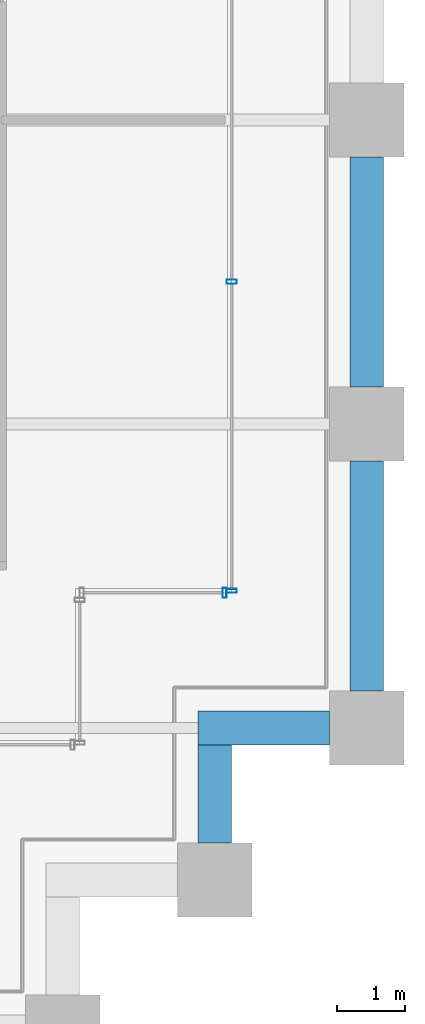
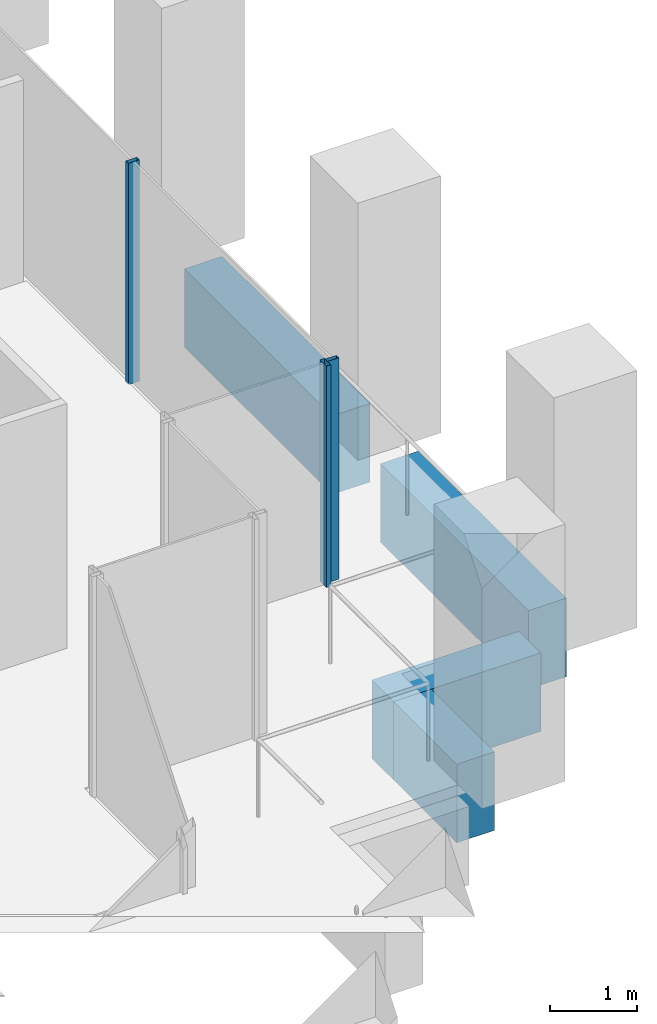
# One storey, part 46 of 56: 4 beams, 3 members, 2 elements without a shape of their own.
"""IFC4 building model written with IfcOpenShell, lengths in metres."""

from ifc_helpers import new_model, si_unit, direction, frame, origin, origin_2d, place, context, subcontext, project, spatial, rectangle, hollow_rectangle, extrude, material, material_profile, profile_set, type_object, element, aggregate, save


model = new_model("IFC4")

# Units and contexts
model_context = context("Model", 3, precision=1e-05, world=origin(), true_north=direction((0.0, 1.0)))
body_context = subcontext(model_context, "Body", "Model", "MODEL_VIEW")
ifc_project = project(units=[si_unit("LENGTHUNIT", "METRE"), si_unit("AREAUNIT", "SQUARE_METRE"), si_unit("VOLUMEUNIT", "CUBIC_METRE"), si_unit("PLANEANGLEUNIT", "RADIAN"), si_unit("MASSUNIT", "GRAM", prefix="KILO")], contexts=[model_context])

# Site, building, storey
site_placement = place(None, origin())
site = spatial("IfcSite", under=ifc_project, at=site_placement, CompositionType="ELEMENT")
building_placement = place(site_placement, origin())
building = spatial("IfcBuilding", under=site, at=building_placement, Name="Altepetl Exchange Towers", CompositionType="ELEMENT")
storey_placement = place(building_placement, frame((0.0, 0.0, 69.0)))
storey = spatial("IfcBuildingStorey", under=building, at=storey_placement, Name="L16", CompositionType="ELEMENT", Elevation=69.0)

# Curtain wall, member
ifc_material_1 = material(Name="Aluminium 6063-T6 glazing", Category="aluminium")
curtain_wall_type = type_object("IfcCurtainWallType", Name="Loggia glazing system", PredefinedType="NOTDEFINED", material=ifc_material_1)
curtain_wall_1_placement = place(storey_placement, origin())
curtain_wall_1 = element("IfcCurtainWall", 1, at=curtain_wall_1_placement, inside=storey, type_object=curtain_wall_type, Name="CW1 run", PredefinedType="NOTDEFINED")
ifc_material_2 = material(Name="Aluminium 6063-T6", Category="aluminium")
ifc_material_profile_1 = material_profile(ifc_material_2, hollow_rectangle(XDim=0.06005859375, YDim=0.14990234375, WallThickness=0.0029296875, at=origin_2d()), Name="Mullion 60x150 aluminium")
ifc_profile_set_1 = profile_set([ifc_material_profile_1], Name="Aluminium 6063-T6")
member_type = type_object("IfcMemberType", Name="Mullion 60x150 aluminium", PredefinedType="MULLION", material=ifc_profile_set_1)
member_1_placement = place(storey_placement, frame((123.89501953125, 33.5, 0.0)))
member_1 = element("IfcMember", 2, at=member_1_placement, type_object=member_type, Name="MU1 mullion", PredefinedType="MULLION", context=body_context, shape_type="SweptSolid", body=[
    extrude(hollow_rectangle(XDim=0.06005859375, YDim=0.14990234375, WallThickness=0.0029296875, at=origin_2d()), origin(), (0.0, 0.0, 1.0), 3.10009765625),
])
aggregate(curtain_wall_1, [member_1])

# Curtain wall, members
curtain_wall_2_placement = place(storey_placement, origin())
curtain_wall_2 = element("IfcCurtainWall", 3, at=curtain_wall_2_placement, inside=storey, type_object=curtain_wall_type, Name="CW1 run", PredefinedType="NOTDEFINED")
member_2_placement = place(storey_placement, frame((124.0, 33.530029296875, 0.0), z_axis=(0.0, 0.0, 1.0), x_axis=(0.0, 1.0, 0.0)))
member_2 = element("IfcMember", 4, at=member_2_placement, type_object=member_type, Name="MU1 mullion", PredefinedType="MULLION", context=body_context, shape_type="SweptSolid", body=[
    extrude(hollow_rectangle(XDim=0.06005859375, YDim=0.14990234375, WallThickness=0.0029296875, at=origin_2d()), origin(), (0.0, 0.0, 1.0), 3.10009765625),
])
member_3_placement = place(storey_placement, frame((124.0, 38.106201171875, 0.0), z_axis=(0.0, 0.0, 1.0), x_axis=(0.0, 1.0, 0.0)))
member_3 = element("IfcMember", 5, at=member_3_placement, type_object=member_type, Name="MU1 mullion", PredefinedType="MULLION", context=body_context, shape_type="SweptSolid", body=[
    extrude(hollow_rectangle(XDim=0.06005859375, YDim=0.14990234375, WallThickness=0.0029296875, at=origin_2d()), origin(), (0.0, 0.0, 1.0), 3.10009765625),
])
aggregate(curtain_wall_2, [member_2, member_3])

# Beams
ifc_material_3 = material(Name="Concrete C50/60 precast with cantera blanca facing", Category="concrete")
ifc_material_profile_2 = material_profile(ifc_material_3, rectangle(XDim=0.5, YDim=1.10009765625, at=origin_2d()), Name="500 x 1100")
ifc_profile_set_2 = profile_set([ifc_material_profile_2], Name="Concrete C50/60 precast with cantera blanca facing")
beam_type = type_object("IfcBeamType", Name="Spandrel beam 500x1100 cantera blanca", PredefinedType="SPANDREL", material=ifc_profile_set_2)
beam_1_placement = place(storey_placement, frame((123.75, 29.800048828125, -0.699951171875), z_axis=(0.0, 1.0, 0.0), x_axis=(-1.0, 0.0, 0.0)))
element("IfcBeam", 6, at=beam_1_placement, inside=storey, type_object=beam_type, Name="sp:B:L16:007", PredefinedType="SPANDREL", context=body_context, shape_type="SweptSolid", body=[
    extrude(rectangle(XDim=0.5, YDim=1.10009765625, at=origin_2d()), origin(), (0.0, 0.0, 1.0), 1.449951171875),
])
beam_2_placement = place(storey_placement, frame((123.5, 31.5, -0.699951171875), z_axis=(1.0, 0.0, 0.0), x_axis=(0.0, 1.0, 0.0)))
element("IfcBeam", 7, at=beam_2_placement, inside=storey, type_object=beam_type, Name="sp:B:L16:008", PredefinedType="SPANDREL", context=body_context, shape_type="SweptSolid", body=[
    extrude(rectangle(XDim=0.5, YDim=1.10009765625, at=origin_2d()), origin(), (0.0, 0.0, 1.0), 1.949951171875),
])
for number, where, z_axis, x_axis, name in (
    (8, (126.0, 32.050048828125, -0.699951171875), (0.0, 1.0, 0.0), (-1.0, 0.0, 0.0), "sp:B:L16:009"),
    (9, (126.0, 36.550048828125, -0.699951171875), (0.0, 1.0, 0.0), (-1.0, 0.0, 0.0), "sp:B:L16:010"),
):
    element("IfcBeam", number, at=place(storey_placement, frame(where, z_axis=z_axis, x_axis=x_axis)), inside=storey, type_object=beam_type, Name=name, PredefinedType="SPANDREL", context=body_context, shape_type="SweptSolid", body=[
        extrude(rectangle(XDim=0.5, YDim=1.10009765625, at=origin_2d()), origin(), (0.0, 0.0, 1.0), 3.39990234375),
    ])

save(model, "model.ifc")
